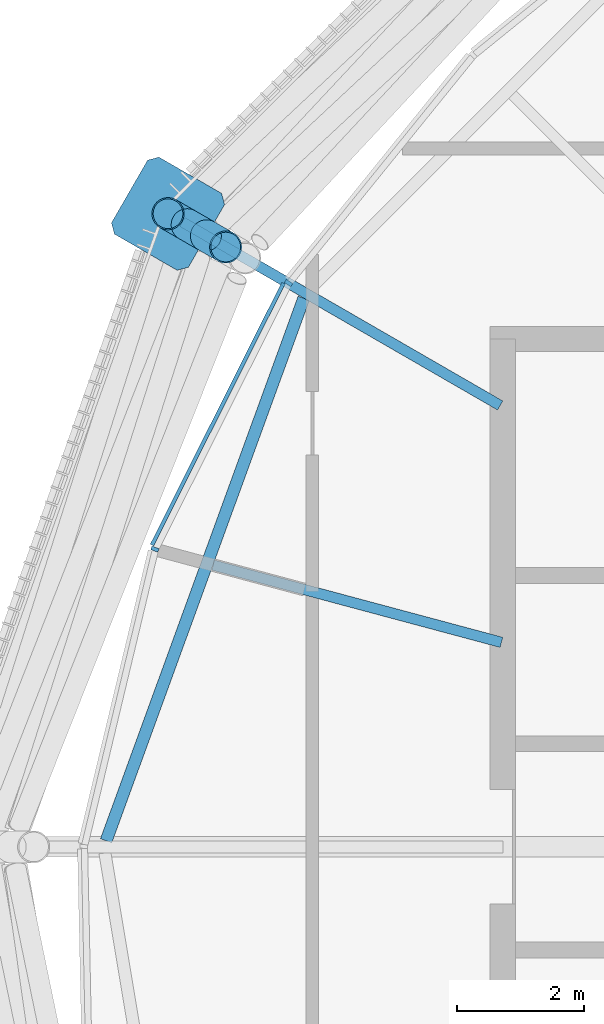
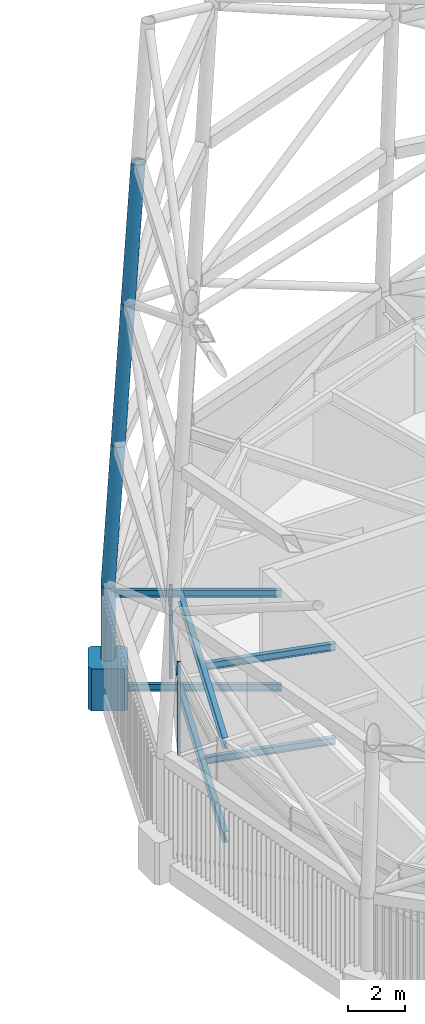
# One storey, part 47 of 71: 8 members, 6 beams, 1 element without a shape of its own.
"""IFC4 building model written with IfcOpenShell, lengths in metres."""

from ifc_helpers import new_model, si_unit, direction, frame, origin, origin_2d, place, context, subcontext, project, spatial, polyline, rectangle, hollow_circle, i_section, outline, extrude, material, material_profile, profile_set, type_object, element, aggregate, save


model = new_model("IFC4")

# Units and contexts
model_context = context("Model", 3, precision=1e-05, world=origin(), true_north=direction((0.0, 1.0)))
body_context = subcontext(model_context, "Body", "Model", "MODEL_VIEW")
ifc_project = project(units=[si_unit("LENGTHUNIT", "METRE"), si_unit("AREAUNIT", "SQUARE_METRE"), si_unit("VOLUMEUNIT", "CUBIC_METRE"), si_unit("PLANEANGLEUNIT", "RADIAN"), si_unit("MASSUNIT", "GRAM", prefix="KILO")], contexts=[model_context])

# Site, building, storey
site_placement = place(None, origin())
site = spatial("IfcSite", under=ifc_project, at=site_placement, CompositionType="ELEMENT")
building_placement = place(site_placement, origin())
building = spatial("IfcBuilding", under=site, at=building_placement, Name="Rimbun Link Towers", CompositionType="ELEMENT")
storey_placement = place(building_placement, frame((0.0, 0.0, 267.60009765625)))
storey = spatial("IfcBuildingStorey", under=building, at=storey_placement, Name="L65", CompositionType="ELEMENT", Elevation=267.60009765625)

# Curtain wall, members
ifc_material_1 = material(Name="Aluminium 6063-T6 louvre wall", Category="aluminium")
curtain_wall_type = type_object("IfcCurtainWallType", Name="CW6 plant floor louvre wall", PredefinedType="NOTDEFINED", material=ifc_material_1)
curtain_wall_placement = place(storey_placement, origin())
curtain_wall = element("IfcCurtainWall", 1, at=curtain_wall_placement, inside=storey, type_object=curtain_wall_type, Name="CW6 L65 T2", PredefinedType="NOTDEFINED")
ifc_material_2 = material(Name="Aluminium 6063-T6", Category="aluminium")
ifc_material_profile_1 = material_profile(ifc_material_2, rectangle(XDim=0.1201171875, YDim=0.06005859375, at=origin_2d()), Name="MULLION 60X120")
ifc_profile_set_1 = profile_set([ifc_material_profile_1], Name="Aluminium 6063-T6")
member_type_1 = type_object("IfcMemberType", Name="CW6 mullion 60X120", PredefinedType="MULLION", material=ifc_profile_set_1)
member_1_placement = place(storey_placement, frame((16.374267578125, 8.880615234375, 0.0), z_axis=(0.0, 0.0, 1.0), x_axis=(-0.840313328335, 0.542101014777, 0.0)))
member_1 = element("IfcMember", 2, at=member_1_placement, type_object=member_type_1, Name="CW6 mullion", PredefinedType="MULLION", context=body_context, shape_type="SweptSolid", body=[
    extrude(rectangle(XDim=0.1201171875, YDim=0.06005859375, at=origin_2d()), origin(), (0.0, 0.0, 1.0), 4.0),
])
member_2_placement = place(storey_placement, frame((14.269775390625, 4.689208984375, 0.0), z_axis=(0.0, 0.0, 1.0), x_axis=(-0.939349417075, 0.342961619779, 0.0)))
member_2 = element("IfcMember", 3, at=member_2_placement, type_object=member_type_1, Name="CW6 mullion", PredefinedType="MULLION", context=body_context, shape_type="SweptSolid", body=[
    extrude(rectangle(XDim=0.1201171875, YDim=0.06005859375, at=origin_2d()), origin(), (0.0, 0.0, 1.0), 4.0),
])
ifc_material_3 = material(Name="Aluminium 6063-T6", Category="aluminium")
ifc_material_profile_2 = material_profile(ifc_material_3, rectangle(XDim=0.06005859375, YDim=0.1201171875, at=origin_2d()), Name="TRANSOM 60X120")
ifc_profile_set_2 = profile_set([ifc_material_profile_2], Name="Aluminium 6063-T6")
member_type_2 = type_object("IfcMemberType", Name="CW6 transom 60X120", PredefinedType="USERDEFINED", material=ifc_profile_set_2)
member_3_placement = place(storey_placement, frame((14.223388671875, 4.75390625, 3.39990234375), z_axis=(0.448757084924, 0.893653780124, 0.0), x_axis=(-0.893653780124, 0.448757084924, 0.0)))
member_3 = element("IfcMember", 4, at=member_3_placement, type_object=member_type_2, Name="CW6 transom", ObjectType="TRANSOM", PredefinedType="USERDEFINED", context=body_context, shape_type="SweptSolid", body=[
    extrude(rectangle(XDim=0.06005859375, YDim=0.1201171875, at=origin_2d()), origin(), (0.0, 0.0, 1.0), 4.61669921875),
])
aggregate(curtain_wall, [member_1, member_2, member_3])

# Members
ifc_material_4 = material(Name="Steel S355J2H", Category="steel")
ifc_material_profile_3 = material_profile(ifc_material_4, hollow_circle(Radius=0.25390625, WallThickness=0.02001953125, at=origin_2d()), Name="Crown frame post CHS 508x20")
ifc_profile_set_3 = profile_set([ifc_material_profile_3], Name="Steel S355J2H")
member_type_3 = type_object("IfcMemberType", Name="Crown frame post CHS 508x20", PredefinedType="POST", material=ifc_profile_set_3)
member_4_placement = place(storey_placement, frame((14.476318359375, 9.972900390625, 0.0), z_axis=(0.0, 0.0, 1.0), x_axis=(1.0, 0.0, 0.0)))
element("IfcMember", 5, at=member_4_placement, inside=storey, type_object=member_type_3, Name="CROWN FRAME post T2 1-03", PredefinedType="POST", context=body_context, shape_type="SweptSolid", body=[
    extrude(hollow_circle(Radius=0.25390625, WallThickness=0.02001953125, at=origin_2d()), origin(), (0.0, 0.0, 1.0), 4.0),
])
for number, where, z_axis, x_axis, name in (
    (6, (14.476318359375, 9.972900390625, 4.0), (0.050410826675, -0.029084731587, 0.99830497692), (0.499742594395, 0.866173965983, 0.0), "CROWN FRAME post T2 2-03"),
    (7, (14.779296875, 9.798095703125, 10.0), (0.050451284808, -0.029125258621, 0.998301751562), (0.49996389635, 0.866046247233, 0.0), "CROWN FRAME post T2 3-03"),
    (8, (15.08251953125, 9.623046875, 16.0), (0.050410767075, -0.029125318286, 0.998303796646), (0.500265973451, 0.865871789474, 0.0), "CROWN FRAME post T2 4-03"),
):
    element("IfcMember", number, at=place(storey_placement, frame(where, z_axis=z_axis, x_axis=x_axis)), inside=storey, type_object=member_type_3, Name=name, PredefinedType="POST", context=body_context, shape_type="SweptSolid", body=[
        extrude(hollow_circle(Radius=0.25390625, WallThickness=0.02001953125, at=origin_2d()), origin(), (0.0, 0.0, 1.0), 6.01025390625),
    ])
ifc_material_5 = material(Name="Cast steel G20Mn5+QT, Rp0.2 300 MPa", Category="steel")
ifc_material_profile_4 = material_profile(ifc_material_5, outline(polyline([(0.699951171875, -0.570068359375), (0.699951171875, 0.570068359375), (0.570068359375, 0.699951171875), (-0.570068359375, 0.699951171875), (-0.699951171875, 0.570068359375), (-0.699951171875, -0.570068359375), (-0.570068359375, -0.699951171875), (0.570068359375, -0.699951171875), (0.699951171875, -0.570068359375)])), Name="NODE 1400x1400")
ifc_profile_set_4 = profile_set([ifc_material_profile_4], Name="Cast steel G20Mn5+QT, Rp0.2 300 MPa")
member_type_4 = type_object("IfcMemberType", Name="Diagrid node cast 1400", PredefinedType="USERDEFINED", material=ifc_profile_set_4)
member_5_placement = place(storey_placement, frame((14.476318359375, 9.972900390625, -0.900146484375), z_axis=(0.0, 0.0, 1.0), x_axis=(-0.866025403784, 0.5, 0.0)))
element("IfcMember", 9, at=member_5_placement, inside=storey, type_object=member_type_4, Name="Diagrid node L65 07", ObjectType="Diagrid node", PredefinedType="USERDEFINED", context=body_context, shape_type="SweptSolid", body=[
    extrude(outline(polyline([(0.699951171875, -0.570068359375), (0.699951171875, 0.570068359375), (0.570068359375, 0.699951171875), (-0.570068359375, 0.699951171875), (-0.699951171875, 0.570068359375), (-0.699951171875, -0.570068359375), (-0.570068359375, -0.699951171875), (0.570068359375, -0.699951171875), (0.699951171875, -0.570068359375)])), origin(), (0.0, 0.0, 1.0), 1.800048828125),
])

# Beams
ifc_material_6 = material(Name="Steel S355J2", Category="steel")
ifc_material_profile_5 = material_profile(ifc_material_6, i_section(OverallWidth=0.1650390625, OverallDepth=0.303466796875, WebThickness=0.006103515625, FlangeThickness=0.01025390625, at=origin_2d()), Name="UB 305x165x40")
ifc_profile_set_5 = profile_set([ifc_material_profile_5], Name="Steel S355J2")
beam_type_1 = type_object("IfcBeamType", Name="UB 305x165x40", PredefinedType="BEAM", material=ifc_profile_set_5)
beam_1_placement = place(storey_placement, frame((19.7080078125, 6.952392578125, -0.351806640625), z_axis=(-0.866032975699, 0.499986884831, 0.0), x_axis=(-0.499986884831, -0.866032975699, 0.0)))
element("IfcBeam", 10, at=beam_1_placement, inside=storey, type_object=beam_type_1, Name="Radial beam T2 L65 07", PredefinedType="BEAM", context=body_context, shape_type="SweptSolid", body=[
    extrude(i_section(OverallWidth=0.1650390625, OverallDepth=0.303466796875, WebThickness=0.006103515625, FlangeThickness=0.01025390625, at=origin_2d()), origin(), (0.0, 0.0, 1.0), 5.541259765625),
])
beam_2_placement = place(storey_placement, frame((19.727783203125, 3.221435546875, -0.351806640625), z_axis=(-0.96592487583, 0.258822592239, 0.0), x_axis=(-0.258822592239, -0.96592487583, 0.0)))
element("IfcBeam", 11, at=beam_2_placement, inside=storey, type_object=beam_type_1, Name="Radial beam T2 L65 08", PredefinedType="BEAM", context=body_context, shape_type="SweptSolid", body=[
    extrude(i_section(OverallWidth=0.1650390625, OverallDepth=0.303466796875, WebThickness=0.006103515625, FlangeThickness=0.01025390625, at=origin_2d()), origin(), (0.0, 0.0, 1.0), 4.7021484375),
])
beam_3_placement = place(storey_placement, frame((19.7080078125, 6.952392578125, 3.648193359375), z_axis=(-0.866020319596, 0.500008805969, 0.0), x_axis=(-0.500008805969, -0.866020319596, 0.0)))
element("IfcBeam", 12, at=beam_3_placement, inside=storey, type_object=beam_type_1, Name="Radial beam T2 L65 07", PredefinedType="BEAM", context=body_context, shape_type="SweptSolid", body=[
    extrude(i_section(OverallWidth=0.1650390625, OverallDepth=0.303466796875, WebThickness=0.006103515625, FlangeThickness=0.01025390625, at=origin_2d()), origin(), (0.0, 0.0, 1.0), 5.78125),
])
beam_4_placement = place(storey_placement, frame((19.727783203125, 3.221435546875, 3.648193359375), z_axis=(-0.96592487583, 0.258822592239, 0.0), x_axis=(-0.258822592239, -0.96592487583, 0.0)))
element("IfcBeam", 13, at=beam_4_placement, inside=storey, type_object=beam_type_1, Name="Radial beam T2 L65 08", PredefinedType="BEAM", context=body_context, shape_type="SweptSolid", body=[
    extrude(i_section(OverallWidth=0.1650390625, OverallDepth=0.303466796875, WebThickness=0.006103515625, FlangeThickness=0.01025390625, at=origin_2d()), origin(), (0.0, 0.0, 1.0), 4.7021484375),
])
ifc_material_7 = material(Name="Steel S355J2", Category="steel")
ifc_material_profile_6 = material_profile(ifc_material_7, i_section(OverallWidth=0.18994140625, OverallDepth=0.453369140625, WebThickness=0.008544921875, FlangeThickness=0.0126953125, at=origin_2d()), Name="UB 457x191x67")
ifc_profile_set_6 = profile_set([ifc_material_profile_6], Name="Steel S355J2")
beam_type_2 = type_object("IfcBeamType", Name="UB 457x191x67", PredefinedType="BEAM", material=ifc_profile_set_6)
for number, where, z_axis, x_axis, name in (
    (14, (16.614990234375, 8.641845703125, -0.4267578125), (-0.342318440703, -0.939583995795, 0.0), (0.939583995795, -0.342318440703, 0.0), "Edge beam T2 L65 07-09"),
    (15, (16.614990234375, 8.641845703125, 3.5732421875), (-0.342318440703, -0.939583995795, 0.0), (0.939583995795, -0.342318440703, 0.0), "Edge beam T2 L65 07-09"),
):
    element("IfcBeam", number, at=place(storey_placement, frame(where, z_axis=z_axis, x_axis=x_axis)), inside=storey, type_object=beam_type_2, Name=name, PredefinedType="BEAM", context=body_context, shape_type="SweptSolid", body=[
        extrude(i_section(OverallWidth=0.18994140625, OverallDepth=0.453369140625, WebThickness=0.008544921875, FlangeThickness=0.0126953125, at=origin_2d()), origin(), (0.0, 0.0, 1.0), 9.095458984375),
    ])

save(model, "model.ifc")
